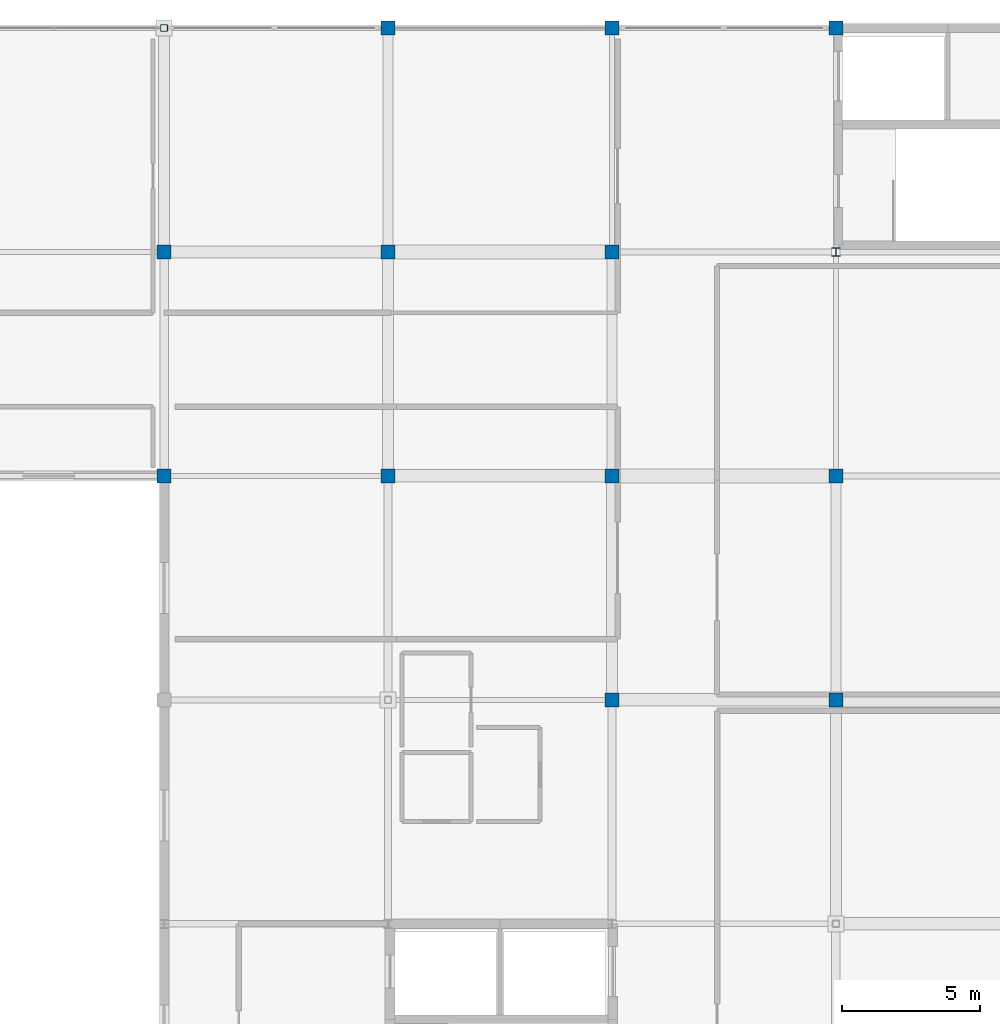
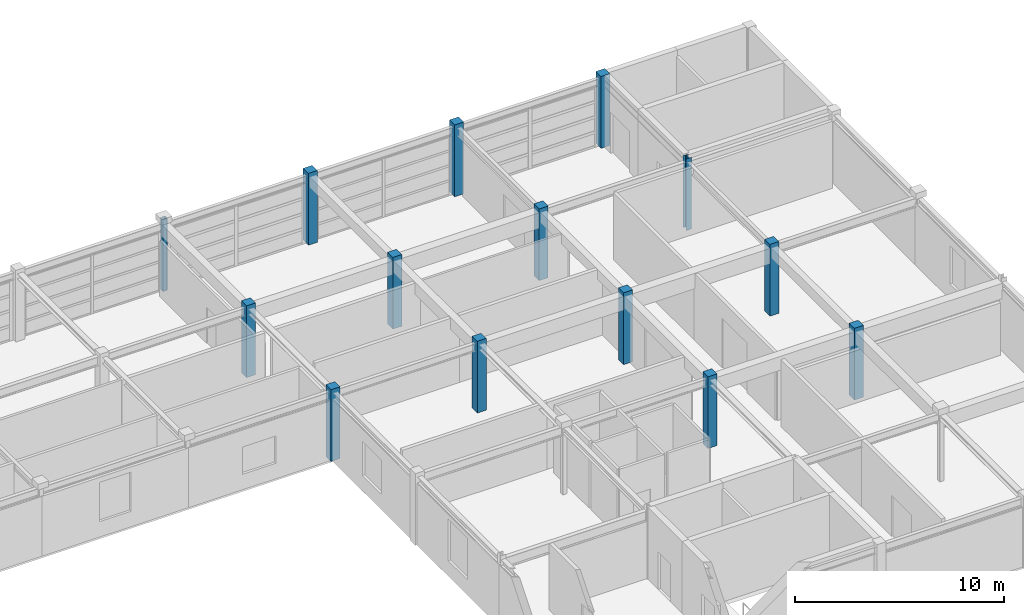
# One storey, part 4 of 19: 14 columns.
"""IFC4 building model written with IfcOpenShell, lengths in metres."""

from ifc_helpers import new_model, si_unit, direction, frame, origin, origin_2d, place, context, subcontext, project, spatial, rectangle, hollow_rectangle, i_section, extrude, material, material_profile, profile_set, type_object, element, save


model = new_model("IFC4")

# Units and contexts
model_context = context("Model", 3, precision=1e-05, world=origin(), true_north=direction((0.0, 1.0)))
body_context = subcontext(model_context, "Body", "Model", "MODEL_VIEW")
ifc_project = project(units=[si_unit("LENGTHUNIT", "METRE"), si_unit("AREAUNIT", "SQUARE_METRE"), si_unit("VOLUMEUNIT", "CUBIC_METRE"), si_unit("PLANEANGLEUNIT", "RADIAN"), si_unit("MASSUNIT", "GRAM", prefix="KILO")], contexts=[model_context])

# Site, building, storey
site_placement = place(None, origin())
site = spatial("IfcSite", under=ifc_project, at=site_placement, CompositionType="ELEMENT")
building_placement = place(site_placement, origin())
building = spatial("IfcBuilding", under=site, at=building_placement, Name="Parian Resonance Hall", CompositionType="ELEMENT")
storey_placement = place(building_placement, frame((0.0, 0.0, 23.39990234375)))
storey = spatial("IfcBuildingStorey", under=building, at=storey_placement, Name="L05", CompositionType="ELEMENT", Elevation=23.39990234375)

# Columns
ifc_material_1 = material(Name="Concrete C40/50", Category="concrete")
ifc_material_profile_1 = material_profile(ifc_material_1, rectangle(XDim=0.5, YDim=0.5, at=origin_2d()), Name="RC-COL-500x500")
ifc_profile_set_1 = profile_set([ifc_material_profile_1], Name="Concrete C40/50")
column_type_1 = type_object("IfcColumnType", Name="COL-RC500", PredefinedType="COLUMN", material=ifc_profile_set_1)
for number, where, z_axis, x_axis, name in (
    (1, (113.39990234375, 72.89990234375, 0.0), (0.0, 0.0, 1.0), (1.0, 0.0, 0.0), "Column G15-10 L05"),
    (2, (113.39990234375, 81.0, 0.0), (0.0, 0.0, 1.0), (1.0, 0.0, 0.0), "Column G15-11 L05"),
    (3, (121.5, 72.89990234375, 0.0), (0.0, 0.0, 1.0), (1.0, 0.0, 0.0), "Column G16-10 L05"),
    (4, (121.5, 81.0, 0.0), (0.0, 0.0, 1.0), (1.0, 0.0, 0.0), "Column G16-11 L05"),
    (5, (121.5, 89.10009765625, 0.0), (0.0, 0.0, 1.0), (1.0, 0.0, 0.0), "Column G16-12 L05"),
    (6, (129.60009765625, 64.800048828125, 0.0), (0.0, 0.0, 1.0), (1.0, 0.0, 0.0), "Column G17-09 L05"),
    (7, (129.60009765625, 72.89990234375, 0.0), (0.0, 0.0, 1.0), (1.0, 0.0, 0.0), "Column G17-10 L05"),
    (8, (129.60009765625, 81.0, 0.0), (0.0, 0.0, 1.0), (1.0, 0.0, 0.0), "Column G17-11 L05"),
    (9, (129.60009765625, 89.10009765625, 0.0), (0.0, 0.0, 1.0), (1.0, 0.0, 0.0), "Column G17-12 L05"),
    (10, (137.699951171875, 64.800048828125, 0.0), (0.0, 0.0, 1.0), (1.0, 0.0, 0.0), "Column G18-09 L05"),
    (11, (137.699951171875, 72.89990234375, 0.0), (0.0, 0.0, 1.0), (1.0, 0.0, 0.0), "Column G18-10 L05"),
    (12, (137.699951171875, 89.10009765625, 0.0), (0.0, 0.0, 1.0), (1.0, 0.0, 0.0), "Column G18-12 L05"),
):
    element("IfcColumn", number, at=place(storey_placement, frame(where, z_axis=z_axis, x_axis=x_axis)), inside=storey, type_object=column_type_1, Name=name, PredefinedType="COLUMN", context=body_context, shape_type="SweptSolid", body=[
        extrude(rectangle(XDim=0.5, YDim=0.5, at=origin_2d()), origin(), (0.0, 0.0, 1.0), 4.2001953125),
    ])
ifc_material_2 = material(Name="Hollow structural steel S355", Category="steel")
ifc_material_profile_2 = material_profile(ifc_material_2, hollow_rectangle(XDim=0.25, YDim=0.25, WallThickness=0.012451171875, InnerFilletRadius=0.012451171875, OuterFilletRadius=0.02490234375, at=origin_2d()), Name="SHS250x250x12.5")
ifc_profile_set_2 = profile_set([ifc_material_profile_2], Name="Hollow structural steel S355")
column_type_2 = type_object("IfcColumnType", Name="COL-SHS250", PredefinedType="COLUMN", material=ifc_profile_set_2)
column_1_placement = place(storey_placement, frame((113.39990234375, 89.10009765625, 0.0), z_axis=(0.0, 0.0, 1.0), x_axis=(1.0, 0.0, 0.0)))
element("IfcColumn", 13, at=column_1_placement, inside=storey, type_object=column_type_2, Name="Column G15-12 L05", PredefinedType="COLUMN", context=body_context, shape_type="SweptSolid", body=[
    extrude(hollow_rectangle(XDim=0.25, YDim=0.25, WallThickness=0.012451171875, InnerFilletRadius=0.012451171875, OuterFilletRadius=0.02490234375, at=origin_2d()), origin(), (0.0, 0.0, 1.0), 4.2001953125),
])
ifc_material_3 = material(Name="Steel S355", Category="steel")
ifc_material_profile_3 = material_profile(ifc_material_3, i_section(OverallWidth=0.304931640625, OverallDepth=0.30810546875, WebThickness=0.010009765625, FlangeThickness=0.015380859375, FilletRadius=0.01513671875, at=origin_2d()), Name="W310x97")
ifc_profile_set_3 = profile_set([ifc_material_profile_3], Name="Steel S355")
column_type_3 = type_object("IfcColumnType", Name="COL-W310", PredefinedType="COLUMN", material=ifc_profile_set_3)
column_2_placement = place(storey_placement, frame((137.699951171875, 81.0, 0.0), z_axis=(0.0, 0.0, 1.0), x_axis=(1.0, 0.0, 0.0)))
element("IfcColumn", 14, at=column_2_placement, inside=storey, type_object=column_type_3, Name="Column G18-11 L05", PredefinedType="COLUMN", context=body_context, shape_type="SweptSolid", body=[
    extrude(i_section(OverallWidth=0.304931640625, OverallDepth=0.30810546875, WebThickness=0.010009765625, FlangeThickness=0.015380859375, FilletRadius=0.01513671875, at=origin_2d()), origin(), (0.0, 0.0, 1.0), 4.2001953125),
])

save(model, "model.ifc")
